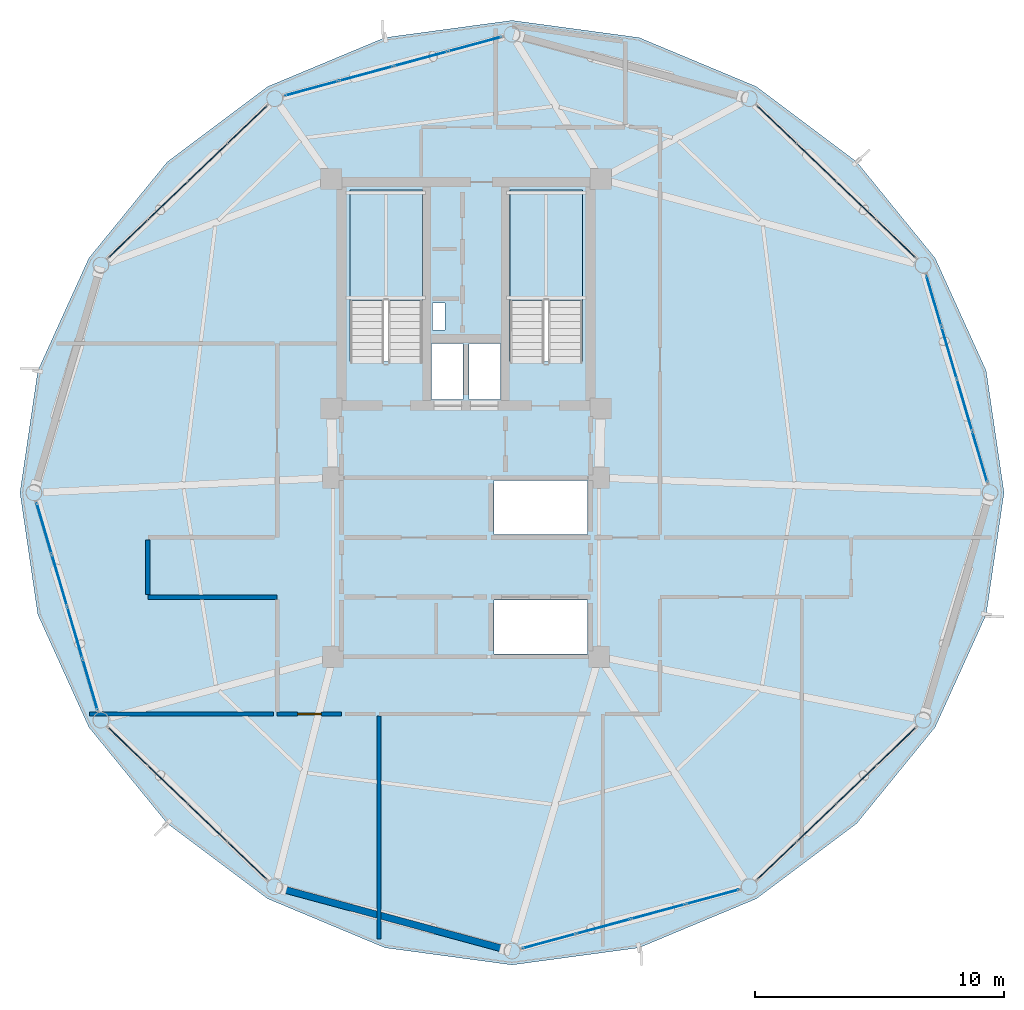
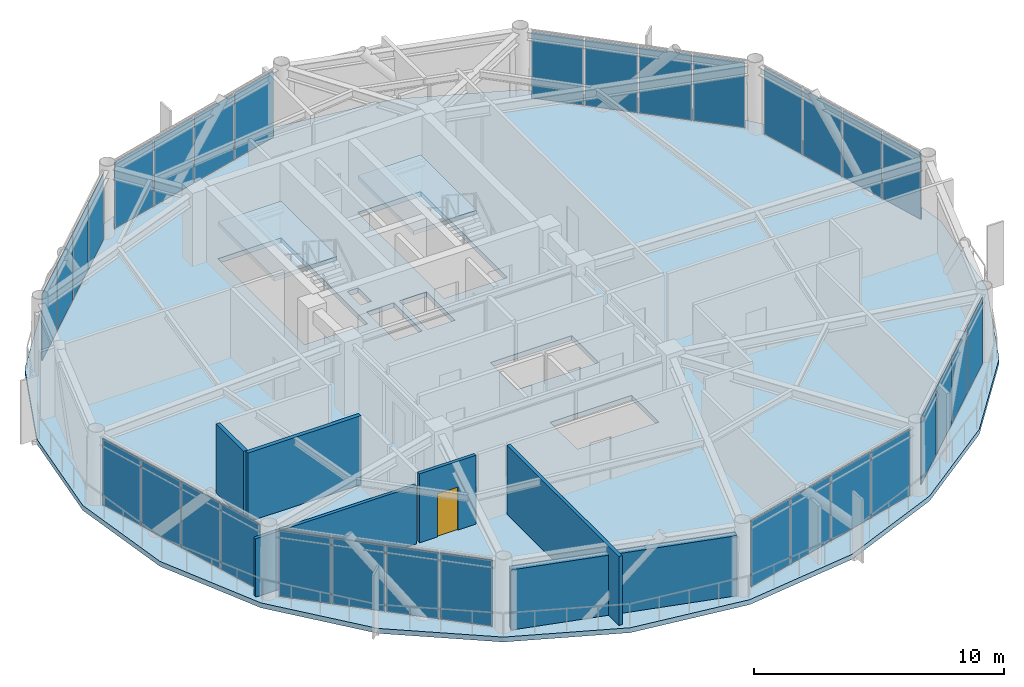
# One storey, part 22 of 28: 32 plates, 6 walls, 3 slabs, 1 door, 1 opening, 10 elements without a shape of their own.
"""IFC4 building model written with IfcOpenShell, lengths in metres."""

from ifc_helpers import new_model, si_unit, direction, frame, frame_2d, origin, origin_2d, place, context, subcontext, project, spatial, polyline, rectangle, outline, extrude, source, transform, mapped, material, layer, layer_set, type_object, type_shapes, element, fill, aggregate, save


model = new_model("IFC4")

# Units and contexts
model_context = context("Model", 3, precision=1e-05, world=origin(), true_north=direction((0.0, 1.0)))
body_context = subcontext(model_context, "Body", "Model", "MODEL_VIEW")
ifc_project = project(units=[si_unit("LENGTHUNIT", "METRE"), si_unit("AREAUNIT", "SQUARE_METRE"), si_unit("VOLUMEUNIT", "CUBIC_METRE"), si_unit("PLANEANGLEUNIT", "RADIAN"), si_unit("MASSUNIT", "GRAM", prefix="KILO")], contexts=[model_context])

# Site, building, storey
site_placement = place(None, origin())
site = spatial("IfcSite", under=ifc_project, at=site_placement, CompositionType="ELEMENT")
building_placement = place(site_placement, origin())
building = spatial("IfcBuilding", under=site, at=building_placement, Name="Varnakorn Sky Granary", CompositionType="ELEMENT")
storey_placement = place(building_placement, frame((0.0, 0.0, 207.60009765625)))
storey = spatial("IfcBuildingStorey", under=building, at=storey_placement, Name="L52", CompositionType="ELEMENT", Elevation=207.60009765625)

# Stair, slab
ifc_material_1 = material(Name="Concrete C40/50", Category="concrete")
stair_type = type_object("IfcStairType", Name="ST-MAIN-ASSEMBLY", PredefinedType="HALF_TURN_STAIR", material=ifc_material_1)
stair_1_placement = place(storey_placement, origin())
stair_1 = element("IfcStair", 1, at=stair_1_placement, inside=storey, type_object=stair_type, Name="L52 Protected Exit Stair ST-1", PredefinedType="HALF_TURN_STAIR")
ifc_layer_1 = layer(ifc_material_1, 0.199951171875, Name="Concrete C40/50")
ifc_layer_set_1 = layer_set([ifc_layer_1], Name="Concrete C40/50")
slab_type_1 = type_object("IfcSlabType", Name="ST-MAIN-LAND", PredefinedType="LANDING", material=ifc_layer_set_1)
slab_1_placement = place(storey_placement, frame((0.0, 0.0, 1.599853515625)))
slab_1 = element("IfcSlab", 2, at=slab_1_placement, type_object=slab_type_1, Name="ST-1 landing 1", PredefinedType="LANDING", context=body_context, shape_type="SweptSolid", body=[
    extrude(outline(polyline([(1.239990234375, 7.719970703125), (1.239990234375, 12.179931640625), (-1.669921875, 12.179931640625), (-1.669921875, 7.719970703125), (1.239990234375, 7.719970703125)])), origin(), (0.0, 0.0, 1.0), 0.199951171875),
])
aggregate(stair_1, [slab_1])

stair_2_placement = place(storey_placement, origin())
stair_2 = element("IfcStair", 3, at=stair_2_placement, inside=storey, type_object=stair_type, Name="L52 Protected Exit Stair ST-2", PredefinedType="HALF_TURN_STAIR")
slab_2_placement = place(storey_placement, frame((0.0, 0.0, 1.599853515625)))
slab_2 = element("IfcSlab", 4, at=slab_2_placement, type_object=slab_type_1, Name="ST-2 landing 1", PredefinedType="LANDING", context=body_context, shape_type="SweptSolid", body=[
    extrude(outline(polyline([(7.679931640625, 7.719970703125), (7.679931640625, 12.179931640625), (4.77001953125, 12.179931640625), (4.77001953125, 7.719970703125), (7.679931640625, 7.719970703125)])), origin(), (0.0, 0.0, 1.0), 0.199951171875),
])
aggregate(stair_2, [slab_2])

# Slab
ifc_material_2 = material(Name="Concrete C50/60", Category="concrete")
ifc_layer_2 = layer(ifc_material_2, 0.239990234375, Name="Concrete C50/60")
ifc_layer_set_2 = layer_set([ifc_layer_2], Name="Concrete C50/60")
slab_type_2 = type_object("IfcSlabType", Name="ST-SL-TWR-240", PredefinedType="FLOOR", material=ifc_layer_set_2)
slab_3_placement = place(storey_placement, frame((0.0, 0.0, -0.239990234375)))
element("IfcSlab", 5, at=slab_3_placement, inside=storey, type_object=slab_type_2, Name="Level L52 Structural Floor Slab", PredefinedType="FLOOR", context=body_context, shape_type="SweptSolid", body=[
    extrude(outline(polyline([(24.639892578125, 0.0), (23.922119140625, 4.904541015625), (21.87158203125, 9.429931640625), (18.71630859375, 13.30419921875), (14.677490234375, 16.333251953125), (9.96044921875, 18.30419921875), (4.85009765625, 18.9951171875), (-0.260498046875, 18.30419921875), (-4.9775390625, 16.333251953125), (-9.016357421875, 13.30419921875), (-12.171630859375, 9.429931640625), (-14.22216796875, 4.904541015625), (-14.93994140625, 0.0), (-14.22216796875, -4.904541015625), (-12.171630859375, -9.429931640625), (-9.016357421875, -13.30419921875), (-4.9775390625, -16.333251953125), (-0.260498046875, -18.30419921875), (4.85009765625, -18.9951171875), (9.96044921875, -18.30419921875), (14.677490234375, -16.333251953125), (18.71630859375, -13.30419921875), (21.87158203125, -9.429931640625), (23.922119140625, -4.904541015625), (24.639892578125, 0.0)]), holes=[polyline([(1.239990234375, 5.27490234375), (1.239990234375, 12.179931640625), (-1.669921875, 12.179931640625), (-1.669921875, 5.27490234375), (1.239990234375, 5.27490234375)]), polyline([(7.679931640625, 5.27490234375), (7.679931640625, 12.179931640625), (4.77001953125, 12.179931640625), (4.77001953125, 5.27490234375), (7.679931640625, 5.27490234375)]), polyline([(1.659912109375, 6.550048828125), (2.14990234375, 6.550048828125), (2.14990234375, 7.6201171875), (1.659912109375, 7.6201171875), (1.659912109375, 6.550048828125)]), polyline([(1.6201171875, 3.739990234375), (2.8798828125, 3.739990234375), (2.8798828125, 6.010009765625), (1.6201171875, 6.010009765625), (1.6201171875, 3.739990234375)]), polyline([(3.1201171875, 3.739990234375), (4.3798828125, 3.739990234375), (4.3798828125, 6.010009765625), (3.1201171875, 6.010009765625), (3.1201171875, 3.739990234375)]), polyline([(4.1201171875, -1.679931640625), (7.8798828125, -1.679931640625), (7.8798828125, 0.47998046875), (4.1201171875, 0.47998046875), (4.1201171875, -1.679931640625)]), polyline([(4.1201171875, -6.47998046875), (7.8798828125, -6.47998046875), (7.8798828125, -4.320068359375), (4.1201171875, -4.320068359375), (4.1201171875, -6.47998046875)])]), origin(), (0.0, 0.0, 1.0), 0.239990234375),
])

# Curtain wall, plates
ifc_material_3 = material(Name="Anodised Bronze Aluminium Alloy 6063-T6", Category="aluminium")
ifc_layer_3 = layer(ifc_material_3, 0.169921875, Name="Anodised Bronze Aluminium Alloy 6063-T6")
ifc_layer_set_3 = layer_set([ifc_layer_3], Name="Anodised Bronze Aluminium Alloy 6063-T6")
curtain_wall_type = type_object("IfcCurtainWallType", Name="CW-LAB-1", PredefinedType="USERDEFINED", material=ifc_layer_set_3)
curtain_wall_1_placement = place(storey_placement, origin())
curtain_wall_1 = element("IfcCurtainWall", 6, at=curtain_wall_1_placement, inside=storey, type_object=curtain_wall_type, Name="Unitised Curtain Wall CW5 CW-L52-B04", ObjectType="CURTAIN WALL", PredefinedType="USERDEFINED")
ifc_material_4 = material(Name="Opaque Insulated Aluminium Shadow-Box Unit", Category="aluminium")
ifc_layer_4 = layer(ifc_material_4, 0.033935546875, Name="Opaque Insulated Aluminium Shadow-Box Unit")
ifc_layer_set_4 = layer_set([ifc_layer_4], Name="Opaque Insulated Aluminium Shadow-Box Unit")
plate_type = type_object("IfcPlateType", Name="CW-LAB-1-PNL", PredefinedType="CURTAIN_PANEL")
shared_shape_1 = source(origin(), body_context, "Body", "SweptSolid", [
    extrude(rectangle(XDim=2.21435546875, YDim=0.033935546875, at=origin_2d()), origin(), (0.0, 0.0, 1.0), 3.219970703125),
])
plate_1_placement = place(storey_placement, frame((-1.026123046875, 16.85302734375, 0.06982421875), z_axis=(0.0, 0.0, 1.0), x_axis=(0.965202900661, 0.261502123426, 0.0)))
plate_1 = element("IfcPlate", 7, at=plate_1_placement, type_object=plate_type, material=ifc_layer_set_4, Name="CW5 opaque insulated shadow-box unit 2.1", PredefinedType="CURTAIN_PANEL", context=body_context, shape_type="MappedRepresentation", body=[
    mapped(shared_shape_1, transform((0.0, 0.0, 0.0), x_axis=(1.0, 0.0, 0.0), y_axis=(0.0, 1.0, 0.0), z_axis=(0.0, 0.0, 1.0), scale=1.0)),
])
plate_2_placement = place(storey_placement, frame((1.173828125, 17.448974609375, 0.06982421875), z_axis=(0.0, 0.0, 1.0), x_axis=(0.965202900661, 0.261502123426, 0.0)))
plate_2 = element("IfcPlate", 8, at=plate_2_placement, type_object=plate_type, material=ifc_layer_set_4, Name="CW5 opaque insulated shadow-box unit 3.1", PredefinedType="CURTAIN_PANEL", context=body_context, shape_type="MappedRepresentation", body=[
    mapped(shared_shape_1, transform((0.0, 0.0, 0.0), x_axis=(1.0, 0.0, 0.0), y_axis=(0.0, 1.0, 0.0), z_axis=(0.0, 0.0, 1.0), scale=1.0)),
])

curtain_wall_2_placement = place(storey_placement, origin())
curtain_wall_2 = element("IfcCurtainWall", 9, at=curtain_wall_2_placement, inside=storey, type_object=curtain_wall_type, Name="Unitised Curtain Wall CW5 CW-L52-B10", ObjectType="CURTAIN WALL", PredefinedType="USERDEFINED")
plate_3_placement = place(storey_placement, frame((10.726318359375, -16.85302734375, 0.06982421875), z_axis=(0.0, 0.0, 1.0), x_axis=(-0.965202900661, -0.261502123426, 0.0)))
plate_3 = element("IfcPlate", 10, at=plate_3_placement, type_object=plate_type, material=ifc_layer_set_4, Name="CW5 opaque insulated shadow-box unit 2.1", PredefinedType="CURTAIN_PANEL", context=body_context, shape_type="MappedRepresentation", body=[
    mapped(shared_shape_1, transform((0.0, 0.0, 0.0), x_axis=(1.0, 0.0, 0.0), y_axis=(0.0, 1.0, 0.0), z_axis=(0.0, 0.0, 1.0), scale=1.0)),
])
plate_4_placement = place(storey_placement, frame((8.5263671875, -17.448974609375, 0.06982421875), z_axis=(0.0, 0.0, 1.0), x_axis=(-0.965202900661, -0.261502123426, 0.0)))
plate_4 = element("IfcPlate", 11, at=plate_4_placement, type_object=plate_type, material=ifc_layer_set_4, Name="CW5 opaque insulated shadow-box unit 3.1", PredefinedType="CURTAIN_PANEL", context=body_context, shape_type="MappedRepresentation", body=[
    mapped(shared_shape_1, transform((0.0, 0.0, 0.0), x_axis=(1.0, 0.0, 0.0), y_axis=(0.0, 1.0, 0.0), z_axis=(0.0, 0.0, 1.0), scale=1.0)),
])

curtain_wall_3_placement = place(storey_placement, origin())
curtain_wall_3 = element("IfcCurtainWall", 12, at=curtain_wall_3_placement, inside=storey, type_object=curtain_wall_type, Name="Unitised Curtain Wall CW5 CW-L52-B01", ObjectType="CURTAIN WALL", PredefinedType="USERDEFINED")
ifc_material_5 = material(Name="Low-E Tinted Laminated Glass", Category="glass")
ifc_layer_5 = layer(ifc_material_5, 0.033935546875, Name="Low-E Tinted Laminated Glass")
ifc_layer_set_5 = layer_set([ifc_layer_5], Name="Low-E Tinted Laminated Glass")
shared_shape_2 = source(origin(), body_context, "Body", "SweptSolid", [
    extrude(rectangle(XDim=2.09326171875, YDim=0.033935546875, at=origin_2d()), origin(), (0.0, 0.0, 1.0), 3.219970703125),
])
plate_5_placement = place(storey_placement, frame((21.8193359375, 7.71435546875, 0.06982421875), z_axis=(0.0, 0.0, 1.0), x_axis=(0.282356600585, -0.959309517364, 0.0)))
plate_5 = element("IfcPlate", 13, at=plate_5_placement, type_object=plate_type, material=ifc_layer_set_5, Name="CW5 vision glazing unit 1.1", PredefinedType="CURTAIN_PANEL", context=body_context, shape_type="MappedRepresentation", body=[
    mapped(shared_shape_2, transform((0.0, 0.0, 0.0), x_axis=(1.0, 0.0, 0.0), y_axis=(0.0, 1.0, 0.0), z_axis=(0.0, 0.0, 1.0), scale=1.0)),
])
plate_6_placement = place(storey_placement, frame((23.666015625, 1.4404296875, 0.06982421875), z_axis=(0.0, 0.0, 1.0), x_axis=(0.282356600585, -0.959309517364, 0.0)))
plate_6 = element("IfcPlate", 14, at=plate_6_placement, type_object=plate_type, material=ifc_layer_set_5, Name="CW5 vision glazing unit 4.1", PredefinedType="CURTAIN_PANEL", context=body_context, shape_type="MappedRepresentation", body=[
    mapped(shared_shape_2, transform((0.0, 0.0, 0.0), x_axis=(1.0, 0.0, 0.0), y_axis=(0.0, 1.0, 0.0), z_axis=(0.0, 0.0, 1.0), scale=1.0)),
])

curtain_wall_4_placement = place(storey_placement, origin())
curtain_wall_4 = element("IfcCurtainWall", 15, at=curtain_wall_4_placement, inside=storey, type_object=curtain_wall_type, Name="Unitised Curtain Wall CW5 CW-L52-B07", ObjectType="CURTAIN WALL", PredefinedType="USERDEFINED")
plate_7_placement = place(storey_placement, frame((-12.119384765625, -7.71435546875, 0.06982421875), z_axis=(0.0, 0.0, 1.0), x_axis=(-0.282356600585, 0.959309517364, 0.0)))
plate_7 = element("IfcPlate", 16, at=plate_7_placement, type_object=plate_type, material=ifc_layer_set_5, Name="CW5 vision glazing unit 1.1", PredefinedType="CURTAIN_PANEL", context=body_context, shape_type="MappedRepresentation", body=[
    mapped(shared_shape_2, transform((0.0, 0.0, 0.0), x_axis=(1.0, 0.0, 0.0), y_axis=(0.0, 1.0, 0.0), z_axis=(0.0, 0.0, 1.0), scale=1.0)),
])
plate_8_placement = place(storey_placement, frame((-13.966064453125, -1.4404296875, 0.06982421875), z_axis=(0.0, 0.0, 1.0), x_axis=(-0.282356600585, 0.959309517364, 0.0)))
plate_8 = element("IfcPlate", 17, at=plate_8_placement, type_object=plate_type, material=ifc_layer_set_5, Name="CW5 vision glazing unit 4.1", PredefinedType="CURTAIN_PANEL", context=body_context, shape_type="MappedRepresentation", body=[
    mapped(shared_shape_2, transform((0.0, 0.0, 0.0), x_axis=(1.0, 0.0, 0.0), y_axis=(0.0, 1.0, 0.0), z_axis=(0.0, 0.0, 1.0), scale=1.0)),
])

# Plate
shared_shape_3 = source(origin(), body_context, "Body", "SweptSolid", [
    extrude(rectangle(XDim=2.125732421875, YDim=0.033935546875, at=origin_2d()), origin(), (0.0, 0.0, 1.0), 3.219970703125),
])
plate_9_placement = place(storey_placement, frame((22.433349609375, 5.62841796875, 0.06982421875), z_axis=(0.0, 0.0, 1.0), x_axis=(0.282356600585, -0.959309517364, 0.0)))
plate_9 = element("IfcPlate", 18, at=plate_9_placement, type_object=plate_type, material=ifc_layer_set_4, Name="CW5 opaque insulated shadow-box unit 2.1", PredefinedType="CURTAIN_PANEL", context=body_context, shape_type="MappedRepresentation", body=[
    mapped(shared_shape_3, transform((0.0, 0.0, 0.0), x_axis=(1.0, 0.0, 0.0), y_axis=(0.0, 1.0, 0.0), z_axis=(0.0, 0.0, 1.0), scale=1.0)),
])

plate_10_placement = place(storey_placement, frame((23.052001953125, 3.526611328125, 0.06982421875), z_axis=(0.0, 0.0, 1.0), x_axis=(0.282356600585, -0.959309517364, 0.0)))
plate_10 = element("IfcPlate", 19, at=plate_10_placement, type_object=plate_type, material=ifc_layer_set_4, Name="CW5 opaque insulated shadow-box unit 3.1", PredefinedType="CURTAIN_PANEL", context=body_context, shape_type="MappedRepresentation", body=[
    mapped(shared_shape_3, transform((0.0, 0.0, 0.0), x_axis=(1.0, 0.0, 0.0), y_axis=(0.0, 1.0, 0.0), z_axis=(0.0, 0.0, 1.0), scale=1.0)),
])

aggregate(curtain_wall_3, [plate_5, plate_9, plate_10, plate_6])

plate_11_placement = place(storey_placement, frame((-12.7333984375, -5.62841796875, 0.06982421875), z_axis=(0.0, 0.0, 1.0), x_axis=(-0.282356600585, 0.959309517364, 0.0)))
plate_11 = element("IfcPlate", 20, at=plate_11_placement, type_object=plate_type, material=ifc_layer_set_4, Name="CW5 opaque insulated shadow-box unit 2.1", PredefinedType="CURTAIN_PANEL", context=body_context, shape_type="MappedRepresentation", body=[
    mapped(shared_shape_3, transform((0.0, 0.0, 0.0), x_axis=(1.0, 0.0, 0.0), y_axis=(0.0, 1.0, 0.0), z_axis=(0.0, 0.0, 1.0), scale=1.0)),
])

plate_12_placement = place(storey_placement, frame((-13.35205078125, -3.526611328125, 0.06982421875), z_axis=(0.0, 0.0, 1.0), x_axis=(-0.282356600585, 0.959309517364, 0.0)))
plate_12 = element("IfcPlate", 21, at=plate_12_placement, type_object=plate_type, material=ifc_layer_set_4, Name="CW5 opaque insulated shadow-box unit 3.1", PredefinedType="CURTAIN_PANEL", context=body_context, shape_type="MappedRepresentation", body=[
    mapped(shared_shape_3, transform((0.0, 0.0, 0.0), x_axis=(1.0, 0.0, 0.0), y_axis=(0.0, 1.0, 0.0), z_axis=(0.0, 0.0, 1.0), scale=1.0)),
])

aggregate(curtain_wall_4, [plate_7, plate_11, plate_12, plate_8])

# Curtain wall, plates
curtain_wall_5_placement = place(storey_placement, origin())
curtain_wall_5 = element("IfcCurtainWall", 22, at=curtain_wall_5_placement, inside=storey, type_object=curtain_wall_type, Name="Unitised Curtain Wall CW5 CW-L52-B02", ObjectType="CURTAIN WALL", PredefinedType="USERDEFINED")
shared_shape_4 = source(origin(), body_context, "Body", "SweptSolid", [
    extrude(rectangle(XDim=2.12890625, YDim=0.033935546875, at=origin_2d()), origin(), (0.0, 0.0, 1.0), 3.219970703125),
])
plate_13_placement = place(storey_placement, frame((15.49951171875, 14.805419921875, 0.06982421875), z_axis=(0.0, 0.0, 1.0), x_axis=(0.721971143389, -0.691923166337, 0.0)))
plate_13 = element("IfcPlate", 23, at=plate_13_placement, type_object=plate_type, material=ifc_layer_set_5, Name="CW5 vision glazing unit 1.1", PredefinedType="CURTAIN_PANEL", context=body_context, shape_type="MappedRepresentation", body=[
    mapped(shared_shape_4, transform((0.0, 0.0, 0.0), x_axis=(1.0, 0.0, 0.0), y_axis=(0.0, 1.0, 0.0), z_axis=(0.0, 0.0, 1.0), scale=1.0)),
])
plate_14_placement = place(storey_placement, frame((20.29833984375, 10.206298828125, 0.06982421875), z_axis=(0.0, 0.0, 1.0), x_axis=(0.721971143389, -0.691923166337, 0.0)))
plate_14 = element("IfcPlate", 24, at=plate_14_placement, type_object=plate_type, material=ifc_layer_set_5, Name="CW5 vision glazing unit 4.1", PredefinedType="CURTAIN_PANEL", context=body_context, shape_type="MappedRepresentation", body=[
    mapped(shared_shape_4, transform((0.0, 0.0, 0.0), x_axis=(1.0, 0.0, 0.0), y_axis=(0.0, 1.0, 0.0), z_axis=(0.0, 0.0, 1.0), scale=1.0)),
])

curtain_wall_6_placement = place(storey_placement, origin())
curtain_wall_6 = element("IfcCurtainWall", 25, at=curtain_wall_6_placement, inside=storey, type_object=curtain_wall_type, Name="Unitised Curtain Wall CW5 CW-L52-B05", ObjectType="CURTAIN WALL", PredefinedType="USERDEFINED")
plate_15_placement = place(storey_placement, frame((-10.598388671875, 10.206298828125, 0.06982421875), z_axis=(0.0, 0.0, 1.0), x_axis=(0.721971143389, 0.691923166337, 0.0)))
plate_15 = element("IfcPlate", 26, at=plate_15_placement, type_object=plate_type, material=ifc_layer_set_5, Name="CW5 vision glazing unit 1.1", PredefinedType="CURTAIN_PANEL", context=body_context, shape_type="MappedRepresentation", body=[
    mapped(shared_shape_4, transform((0.0, 0.0, 0.0), x_axis=(1.0, 0.0, 0.0), y_axis=(0.0, 1.0, 0.0), z_axis=(0.0, 0.0, 1.0), scale=1.0)),
])
plate_16_placement = place(storey_placement, frame((-5.799560546875, 14.805419921875, 0.06982421875), z_axis=(0.0, 0.0, 1.0), x_axis=(0.721971143389, 0.691923166337, 0.0)))
plate_16 = element("IfcPlate", 27, at=plate_16_placement, type_object=plate_type, material=ifc_layer_set_5, Name="CW5 vision glazing unit 4.1", PredefinedType="CURTAIN_PANEL", context=body_context, shape_type="MappedRepresentation", body=[
    mapped(shared_shape_4, transform((0.0, 0.0, 0.0), x_axis=(1.0, 0.0, 0.0), y_axis=(0.0, 1.0, 0.0), z_axis=(0.0, 0.0, 1.0), scale=1.0)),
])

curtain_wall_7_placement = place(storey_placement, origin())
curtain_wall_7 = element("IfcCurtainWall", 28, at=curtain_wall_7_placement, inside=storey, type_object=curtain_wall_type, Name="Unitised Curtain Wall CW5 CW-L52-B08", ObjectType="CURTAIN WALL", PredefinedType="USERDEFINED")
plate_17_placement = place(storey_placement, frame((-5.799560546875, -14.805419921875, 0.06982421875), z_axis=(0.0, 0.0, 1.0), x_axis=(-0.721971143389, 0.691923166337, 0.0)))
plate_17 = element("IfcPlate", 29, at=plate_17_placement, type_object=plate_type, material=ifc_layer_set_5, Name="CW5 vision glazing unit 1.1", PredefinedType="CURTAIN_PANEL", context=body_context, shape_type="MappedRepresentation", body=[
    mapped(shared_shape_4, transform((0.0, 0.0, 0.0), x_axis=(1.0, 0.0, 0.0), y_axis=(0.0, 1.0, 0.0), z_axis=(0.0, 0.0, 1.0), scale=1.0)),
])
plate_18_placement = place(storey_placement, frame((-10.598388671875, -10.206298828125, 0.06982421875), z_axis=(0.0, 0.0, 1.0), x_axis=(-0.721971143389, 0.691923166337, 0.0)))
plate_18 = element("IfcPlate", 30, at=plate_18_placement, type_object=plate_type, material=ifc_layer_set_5, Name="CW5 vision glazing unit 4.1", PredefinedType="CURTAIN_PANEL", context=body_context, shape_type="MappedRepresentation", body=[
    mapped(shared_shape_4, transform((0.0, 0.0, 0.0), x_axis=(1.0, 0.0, 0.0), y_axis=(0.0, 1.0, 0.0), z_axis=(0.0, 0.0, 1.0), scale=1.0)),
])

curtain_wall_8_placement = place(storey_placement, origin())
curtain_wall_8 = element("IfcCurtainWall", 31, at=curtain_wall_8_placement, inside=storey, type_object=curtain_wall_type, Name="Unitised Curtain Wall CW5 CW-L52-B11", ObjectType="CURTAIN WALL", PredefinedType="USERDEFINED")
plate_19_placement = place(storey_placement, frame((20.29833984375, -10.206298828125, 0.06982421875), z_axis=(0.0, 0.0, 1.0), x_axis=(-0.721971143389, -0.691923166337, 0.0)))
plate_19 = element("IfcPlate", 32, at=plate_19_placement, type_object=plate_type, material=ifc_layer_set_5, Name="CW5 vision glazing unit 1.1", PredefinedType="CURTAIN_PANEL", context=body_context, shape_type="MappedRepresentation", body=[
    mapped(shared_shape_4, transform((0.0, 0.0, 0.0), x_axis=(1.0, 0.0, 0.0), y_axis=(0.0, 1.0, 0.0), z_axis=(0.0, 0.0, 1.0), scale=1.0)),
])
plate_20_placement = place(storey_placement, frame((15.49951171875, -14.805419921875, 0.06982421875), z_axis=(0.0, 0.0, 1.0), x_axis=(-0.721971143389, -0.691923166337, 0.0)))
plate_20 = element("IfcPlate", 33, at=plate_20_placement, type_object=plate_type, material=ifc_layer_set_5, Name="CW5 vision glazing unit 4.1", PredefinedType="CURTAIN_PANEL", context=body_context, shape_type="MappedRepresentation", body=[
    mapped(shared_shape_4, transform((0.0, 0.0, 0.0), x_axis=(1.0, 0.0, 0.0), y_axis=(0.0, 1.0, 0.0), z_axis=(0.0, 0.0, 1.0), scale=1.0)),
])

# Plate
shared_shape_5 = source(origin(), body_context, "Body", "SweptSolid", [
    extrude(rectangle(XDim=2.161376953125, YDim=0.033935546875, at=origin_2d()), origin(), (0.0, 0.0, 1.0), 3.219970703125),
])
plate_21_placement = place(storey_placement, frame((17.09521484375, 13.276123046875, 0.06982421875), z_axis=(0.0, 0.0, 1.0), x_axis=(0.721971143389, -0.691923166337, 0.0)))
plate_21 = element("IfcPlate", 34, at=plate_21_placement, type_object=plate_type, material=ifc_layer_set_4, Name="CW5 opaque insulated shadow-box unit 2.1", PredefinedType="CURTAIN_PANEL", context=body_context, shape_type="MappedRepresentation", body=[
    mapped(shared_shape_5, transform((0.0, 0.0, 0.0), x_axis=(1.0, 0.0, 0.0), y_axis=(0.0, 1.0, 0.0), z_axis=(0.0, 0.0, 1.0), scale=1.0)),
])

plate_22_placement = place(storey_placement, frame((18.70263671875, 11.735595703125, 0.06982421875), z_axis=(0.0, 0.0, 1.0), x_axis=(0.721971143389, -0.691923166337, 0.0)))
plate_22 = element("IfcPlate", 35, at=plate_22_placement, type_object=plate_type, material=ifc_layer_set_4, Name="CW5 opaque insulated shadow-box unit 3.1", PredefinedType="CURTAIN_PANEL", context=body_context, shape_type="MappedRepresentation", body=[
    mapped(shared_shape_5, transform((0.0, 0.0, 0.0), x_axis=(1.0, 0.0, 0.0), y_axis=(0.0, 1.0, 0.0), z_axis=(0.0, 0.0, 1.0), scale=1.0)),
])

aggregate(curtain_wall_5, [plate_13, plate_21, plate_22, plate_14])

plate_23_placement = place(storey_placement, frame((-9.002685546875, 11.735595703125, 0.06982421875), z_axis=(0.0, 0.0, 1.0), x_axis=(0.721971143389, 0.691923166337, 0.0)))
plate_23 = element("IfcPlate", 36, at=plate_23_placement, type_object=plate_type, material=ifc_layer_set_4, Name="CW5 opaque insulated shadow-box unit 2.1", PredefinedType="CURTAIN_PANEL", context=body_context, shape_type="MappedRepresentation", body=[
    mapped(shared_shape_5, transform((0.0, 0.0, 0.0), x_axis=(1.0, 0.0, 0.0), y_axis=(0.0, 1.0, 0.0), z_axis=(0.0, 0.0, 1.0), scale=1.0)),
])

plate_24_placement = place(storey_placement, frame((-7.395263671875, 13.276123046875, 0.06982421875), z_axis=(0.0, 0.0, 1.0), x_axis=(0.721971143389, 0.691923166337, 0.0)))
plate_24 = element("IfcPlate", 37, at=plate_24_placement, type_object=plate_type, material=ifc_layer_set_4, Name="CW5 opaque insulated shadow-box unit 3.1", PredefinedType="CURTAIN_PANEL", context=body_context, shape_type="MappedRepresentation", body=[
    mapped(shared_shape_5, transform((0.0, 0.0, 0.0), x_axis=(1.0, 0.0, 0.0), y_axis=(0.0, 1.0, 0.0), z_axis=(0.0, 0.0, 1.0), scale=1.0)),
])

aggregate(curtain_wall_6, [plate_15, plate_23, plate_24, plate_16])

plate_25_placement = place(storey_placement, frame((-7.395263671875, -13.276123046875, 0.06982421875), z_axis=(0.0, 0.0, 1.0), x_axis=(-0.721971143389, 0.691923166337, 0.0)))
plate_25 = element("IfcPlate", 38, at=plate_25_placement, type_object=plate_type, material=ifc_layer_set_4, Name="CW5 opaque insulated shadow-box unit 2.1", PredefinedType="CURTAIN_PANEL", context=body_context, shape_type="MappedRepresentation", body=[
    mapped(shared_shape_5, transform((0.0, 0.0, 0.0), x_axis=(1.0, 0.0, 0.0), y_axis=(0.0, 1.0, 0.0), z_axis=(0.0, 0.0, 1.0), scale=1.0)),
])

plate_26_placement = place(storey_placement, frame((-9.002685546875, -11.735595703125, 0.06982421875), z_axis=(0.0, 0.0, 1.0), x_axis=(-0.721971143389, 0.691923166337, 0.0)))
plate_26 = element("IfcPlate", 39, at=plate_26_placement, type_object=plate_type, material=ifc_layer_set_4, Name="CW5 opaque insulated shadow-box unit 3.1", PredefinedType="CURTAIN_PANEL", context=body_context, shape_type="MappedRepresentation", body=[
    mapped(shared_shape_5, transform((0.0, 0.0, 0.0), x_axis=(1.0, 0.0, 0.0), y_axis=(0.0, 1.0, 0.0), z_axis=(0.0, 0.0, 1.0), scale=1.0)),
])

aggregate(curtain_wall_7, [plate_17, plate_25, plate_26, plate_18])

plate_27_placement = place(storey_placement, frame((18.70263671875, -11.735595703125, 0.06982421875), z_axis=(0.0, 0.0, 1.0), x_axis=(-0.721971143389, -0.691923166337, 0.0)))
plate_27 = element("IfcPlate", 40, at=plate_27_placement, type_object=plate_type, material=ifc_layer_set_4, Name="CW5 opaque insulated shadow-box unit 2.1", PredefinedType="CURTAIN_PANEL", context=body_context, shape_type="MappedRepresentation", body=[
    mapped(shared_shape_5, transform((0.0, 0.0, 0.0), x_axis=(1.0, 0.0, 0.0), y_axis=(0.0, 1.0, 0.0), z_axis=(0.0, 0.0, 1.0), scale=1.0)),
])

plate_28_placement = place(storey_placement, frame((17.09521484375, -13.276123046875, 0.06982421875), z_axis=(0.0, 0.0, 1.0), x_axis=(-0.721971143389, -0.691923166337, 0.0)))
plate_28 = element("IfcPlate", 41, at=plate_28_placement, type_object=plate_type, material=ifc_layer_set_4, Name="CW5 opaque insulated shadow-box unit 3.1", PredefinedType="CURTAIN_PANEL", context=body_context, shape_type="MappedRepresentation", body=[
    mapped(shared_shape_5, transform((0.0, 0.0, 0.0), x_axis=(1.0, 0.0, 0.0), y_axis=(0.0, 1.0, 0.0), z_axis=(0.0, 0.0, 1.0), scale=1.0)),
])

aggregate(curtain_wall_8, [plate_19, plate_27, plate_28, plate_20])

shared_shape_6 = source(origin(), body_context, "Body", "SweptSolid", [
    extrude(rectangle(XDim=2.181640625, YDim=0.033935546875, at=origin_2d()), origin(), (0.0, 0.0, 1.0), 3.219970703125),
])
type_shapes(plate_type, [shared_shape_1, shared_shape_2, shared_shape_3, shared_shape_4, shared_shape_5, shared_shape_6])
plate_29_placement = place(storey_placement, frame((-3.21044921875, 16.26123046875, 0.06982421875), z_axis=(0.0, 0.0, 1.0), x_axis=(0.965202900661, 0.261502123426, 0.0)))
plate_29 = element("IfcPlate", 42, at=plate_29_placement, type_object=plate_type, material=ifc_layer_set_5, Name="CW5 vision glazing unit 1.1", PredefinedType="CURTAIN_PANEL", context=body_context, shape_type="MappedRepresentation", body=[
    mapped(shared_shape_6, transform((0.0, 0.0, 0.0), x_axis=(1.0, 0.0, 0.0), y_axis=(0.0, 1.0, 0.0), z_axis=(0.0, 0.0, 1.0), scale=1.0)),
])

plate_30_placement = place(storey_placement, frame((3.35791015625, 18.040771484375, 0.06982421875), z_axis=(0.0, 0.0, 1.0), x_axis=(0.965202900661, 0.261502123426, 0.0)))
plate_30 = element("IfcPlate", 43, at=plate_30_placement, type_object=plate_type, material=ifc_layer_set_5, Name="CW5 vision glazing unit 4.1", PredefinedType="CURTAIN_PANEL", context=body_context, shape_type="MappedRepresentation", body=[
    mapped(shared_shape_6, transform((0.0, 0.0, 0.0), x_axis=(1.0, 0.0, 0.0), y_axis=(0.0, 1.0, 0.0), z_axis=(0.0, 0.0, 1.0), scale=1.0)),
])

aggregate(curtain_wall_1, [plate_29, plate_1, plate_2, plate_30])

plate_31_placement = place(storey_placement, frame((12.910400390625, -16.26123046875, 0.06982421875), z_axis=(0.0, 0.0, 1.0), x_axis=(-0.965202900661, -0.261502123426, 0.0)))
plate_31 = element("IfcPlate", 44, at=plate_31_placement, type_object=plate_type, material=ifc_layer_set_5, Name="CW5 vision glazing unit 1.1", PredefinedType="CURTAIN_PANEL", context=body_context, shape_type="MappedRepresentation", body=[
    mapped(shared_shape_6, transform((0.0, 0.0, 0.0), x_axis=(1.0, 0.0, 0.0), y_axis=(0.0, 1.0, 0.0), z_axis=(0.0, 0.0, 1.0), scale=1.0)),
])

plate_32_placement = place(storey_placement, frame((6.342041015625, -18.040771484375, 0.06982421875), z_axis=(0.0, 0.0, 1.0), x_axis=(-0.965202900661, -0.261502123426, 0.0)))
plate_32 = element("IfcPlate", 45, at=plate_32_placement, type_object=plate_type, material=ifc_layer_set_5, Name="CW5 vision glazing unit 4.1", PredefinedType="CURTAIN_PANEL", context=body_context, shape_type="MappedRepresentation", body=[
    mapped(shared_shape_6, transform((0.0, 0.0, 0.0), x_axis=(1.0, 0.0, 0.0), y_axis=(0.0, 1.0, 0.0), z_axis=(0.0, 0.0, 1.0), scale=1.0)),
])

aggregate(curtain_wall_2, [plate_31, plate_3, plate_4, plate_32])

# Wall
ifc_material_6 = material(Name="Precast concrete C40/50", Category="concrete")
ifc_layer_6 = layer(ifc_material_6, 0.280029296875, Name="Precast concrete C40/50")
ifc_layer_set_6 = layer_set([ifc_layer_6], Name="Precast concrete C40/50")
wall_type_1 = type_object("IfcWallType", Name="WT-EW-CRN-280", PredefinedType="SOLIDWALL", material=ifc_layer_set_6)
wall_1_placement = place(storey_placement, frame((4.574951171875, -18.37060546875, 0.0), z_axis=(0.0, 0.0, 1.0), x_axis=(-0.965198020843, 0.261520134139, 0.0)))
element("IfcWall", 46, at=wall_1_placement, inside=storey, type_object=wall_type_1, Name="Agritech Insulated Precast Facade Wall L52-P09", PredefinedType="SOLIDWALL", context=body_context, shape_type="SweptSolid", body=[
    extrude(rectangle(XDim=9.3271484375, YDim=0.280029296875, at=frame_2d((4.66357421875, 0.0))), origin(), (0.0, 0.0, 1.0), 2.929931640625),
])

# Wall, opening, door
ifc_material_7 = material(Name="Gypsum Plasterboard on Steel Stud", Category="steel")
ifc_layer_7 = layer(ifc_material_7, 0.14990234375, Name="Gypsum Plasterboard on Steel Stud")
ifc_layer_set_7 = layer_set([ifc_layer_7], Name="Gypsum Plasterboard on Steel Stud")
wall_type_2 = type_object("IfcWallType", Name="WT-PART-150", PredefinedType="PARTITIONING", material=ifc_layer_set_7)
wall_2_placement = place(storey_placement, frame((-4.60009765625, -8.89990234375, 0.0), z_axis=(0.0, 0.0, 1.0), x_axis=(1.0, 0.0, 0.0)))
wall_2 = element("IfcWall", 47, at=wall_2_placement, inside=storey, type_object=wall_type_2, Name="Interior Partition Wall L52-021", PredefinedType="PARTITIONING", context=body_context, shape_type="SweptSolid", body=[
    extrude(rectangle(XDim=2.60009765625, YDim=0.14990234375, at=frame_2d((1.300048828125, 0.0))), origin(), (0.0, 0.0, 1.0), 3.35986328125),
])
opening_placement = place(wall_2_placement, frame((0.824951171875, 0.0, 0.0)))
opening = element("IfcOpeningElement", 48, at=opening_placement, cuts=wall_2, Name="Opening ID-95", PredefinedType="OPENING", context=body_context, shape_type="SweptSolid", body=[
    extrude(rectangle(XDim=0.949951171875, YDim=2.10009765625, at=frame_2d((0.47509765625, 1.050048828125))), frame((0.0, 0.0849609375, 0.0), z_axis=(0.0, -1.0, 0.0), x_axis=(1.0, 0.0, 0.0)), (0.0, 0.0, 1.0), 0.169921875),
])
ifc_material_8 = material(Name="Solid-Core Teak Veneer Leaf", Category="timber")
door_type = type_object("IfcDoorType", Name="DR-INT-950", OperationType="NOTDEFINED", PredefinedType="DOOR", material=ifc_material_8)
door_placement = place(opening_placement, origin())
door = element("IfcDoor", 49, at=door_placement, inside=storey, type_object=door_type, Name="Interior Door L52-021-1", OperationType="SINGLE_SWING_LEFT", OverallHeight=2.10009765625, OverallWidth=0.949951171875, PredefinedType="DOOR", context=body_context, shape_type="SweptSolid", body=[
    extrude(rectangle(XDim=0.949951171875, YDim=2.10009765625, at=frame_2d((0.47509765625, 1.050048828125))), frame((0.0, 0.02490234375, 0.0), z_axis=(0.0, -1.0, 0.0), x_axis=(1.0, 0.0, 0.0)), (0.0, 0.0, 1.0), 0.050048828125),
])
fill(opening, door)

# Walls
wall_3_placement = place(storey_placement, frame((-0.5, -8.985107421875, 0.0), z_axis=(0.0, 0.0, 1.0), x_axis=(0.0, -1.0, 0.0)))
element("IfcWall", 50, at=wall_3_placement, inside=storey, type_object=wall_type_2, Name="Interior Partition Wall L52-036", PredefinedType="PARTITIONING", context=body_context, shape_type="SweptSolid", body=[
    extrude(rectangle(XDim=8.9609375, YDim=0.14990234375, at=frame_2d((4.48046875, 0.0))), origin(), (0.0, 0.0, 1.0), 3.35986328125),
])
wall_4_placement = place(storey_placement, frame((-12.14990234375, -8.89990234375, 0.0), z_axis=(0.0, 0.0, 1.0), x_axis=(1.0, 0.0, 0.0)))
element("IfcWall", 51, at=wall_4_placement, inside=storey, type_object=wall_type_2, Name="Interior Partition Wall L52-037", PredefinedType="PARTITIONING", context=body_context, shape_type="SweptSolid", body=[
    extrude(rectangle(XDim=7.414794921875, YDim=0.14990234375, at=frame_2d((3.70751953125, 0.0))), origin(), (0.0, 0.0, 1.0), 2.841796875),
])
ifc_material_9 = material(Name="Moisture-Resistant Gypsum on Stud", Category="gypsum")
ifc_layer_8 = layer(ifc_material_9, 0.179931640625, Name="Moisture-Resistant Gypsum on Stud")
ifc_layer_set_8 = layer_set([ifc_layer_8], Name="Moisture-Resistant Gypsum on Stud")
wall_type_3 = type_object("IfcWallType", Name="WT-PLUMB-180", PredefinedType="PLUMBINGWALL", material=ifc_layer_set_8)
wall_5_placement = place(storey_placement, frame((-9.800048828125, -4.199951171875, 0.0), z_axis=(0.0, 0.0, 1.0), x_axis=(1.0, 0.0, 0.0)))
element("IfcWall", 52, at=wall_5_placement, inside=storey, type_object=wall_type_3, Name="Interior Partition Wall L52-046", PredefinedType="PLUMBINGWALL", context=body_context, shape_type="SweptSolid", body=[
    extrude(rectangle(XDim=5.199951171875, YDim=0.179931640625, at=frame_2d((2.60009765625, 0.0))), origin(), (0.0, 0.0, 1.0), 3.35986328125),
])
wall_6_placement = place(storey_placement, frame((-9.800048828125, -1.89990234375, 0.0), z_axis=(0.0, 0.0, 1.0), x_axis=(0.0, -1.0, 0.0)))
element("IfcWall", 53, at=wall_6_placement, inside=storey, type_object=wall_type_3, Name="Interior Partition Wall L52-047", PredefinedType="PLUMBINGWALL", context=body_context, shape_type="SweptSolid", body=[
    extrude(rectangle(XDim=2.2001953125, YDim=0.179931640625, at=frame_2d((1.10009765625, 0.0))), origin(), (0.0, 0.0, 1.0), 3.35986328125),
])

save(model, "model.ifc")
